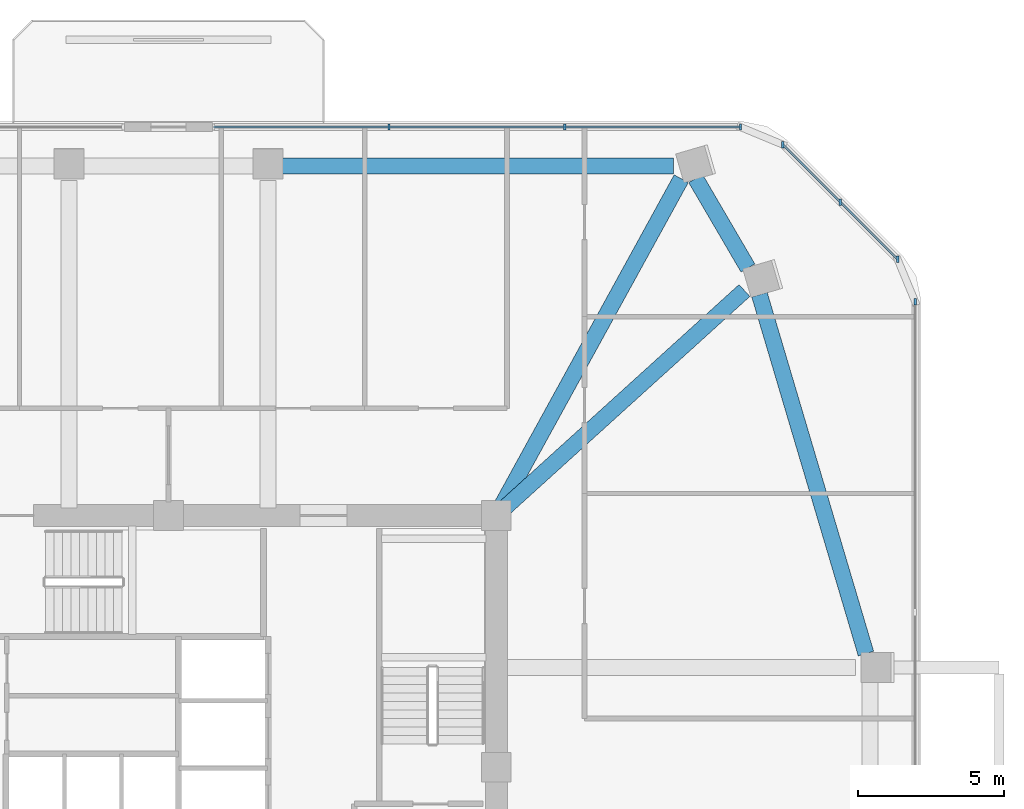
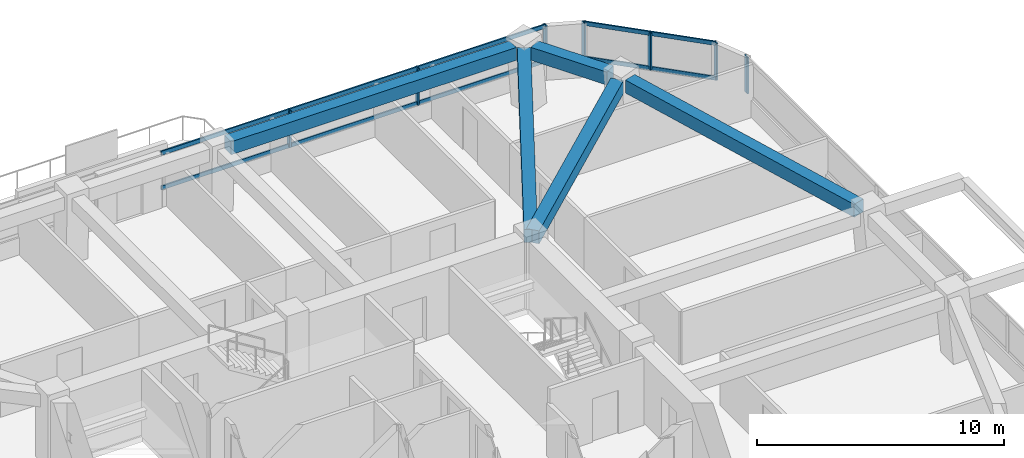
# One storey, part 6 of 13: 11 members, 5 beams, 3 elements without a shape of their own.
"""IFC4 building model written with IfcOpenShell, lengths in metres."""

from ifc_helpers import new_model, si_unit, derived_unit, direction, frame, origin, origin_2d, place, context, subcontext, project, spatial, rectangle, extrude, material, material_profile, profile_set, type_object, element, aggregate, save


model = new_model("IFC4")

# Units and contexts
model_context = context("Model", 3, precision=1e-05, world=origin(), true_north=direction((0.0, 1.0)))
body_context = subcontext(model_context, "Body", "Model", "MODEL_VIEW")
ifc_project = project(units=[si_unit("LENGTHUNIT", "METRE"), si_unit("AREAUNIT", "SQUARE_METRE"), si_unit("VOLUMEUNIT", "CUBIC_METRE"), si_unit("PLANEANGLEUNIT", "RADIAN"), si_unit("MASSUNIT", "GRAM", prefix="KILO"), derived_unit("THERMALTRANSMITTANCEUNIT", [(si_unit("POWERUNIT", "WATT"), 1), (si_unit("LENGTHUNIT", "METRE"), -2), (si_unit("THERMODYNAMICTEMPERATUREUNIT", "KELVIN"), -1)])], contexts=[model_context])

# Site, building, storey
site_placement = place(None, origin())
site = spatial("IfcSite", under=ifc_project, at=site_placement, CompositionType="ELEMENT")
building_placement = place(site_placement, origin())
building = spatial("IfcBuilding", under=site, at=building_placement, Name="Koralith Skygarden Medical Center", CompositionType="ELEMENT")
storey_placement = place(building_placement, frame((0.0, 0.0, 102.780029296875)))
storey = spatial("IfcBuildingStorey", under=building, at=storey_placement, Name="L26", CompositionType="ELEMENT", Elevation=102.780029296875)

# Curtain wall, member
ifc_material_1 = material(Name="Clear Laminated Glass", Category="glass")
curtain_wall_type = type_object("IfcCurtainWallType", Name="CW-3 Zone 2 Faceted Solar Curtain Wall", PredefinedType="NOTDEFINED", material=ifc_material_1)
curtain_wall_1_placement = place(storey_placement, origin())
curtain_wall_1 = element("IfcCurtainWall", 1, at=curtain_wall_1_placement, inside=storey, type_object=curtain_wall_type, Name="Curtain Wall CW-L26-E", PredefinedType="NOTDEFINED")
ifc_material_2 = material(Name="Aluminium 6063-T6", Category="aluminium")
ifc_material_profile_1 = material_profile(ifc_material_2, rectangle(XDim=0.073974609375, YDim=0.219970703125, at=origin_2d()), Name="MUL74X220")
ifc_profile_set_1 = profile_set([ifc_material_profile_1], Name="Aluminium 6063-T6")
member_type_1 = type_object("IfcMemberType", Name="CW-3 Extruded Mullion 74x220", PredefinedType="MULLION", material=ifc_profile_set_1)
member_1_placement = place(storey_placement, frame((62.510986328125, 41.791015625, 0.849853515625), z_axis=(0.0, 0.0, 1.0), x_axis=(1.0, 0.0, 0.0)))
member_1 = element("IfcMember", 2, at=member_1_placement, type_object=member_type_1, Name="CW-L26-E Mullion 4", PredefinedType="MULLION", context=body_context, shape_type="SweptSolid", body=[
    extrude(rectangle(XDim=0.073974609375, YDim=0.219970703125, at=origin_2d()), origin(), (0.0, 0.0, 1.0), 1.820068359375),
])
aggregate(curtain_wall_1, [member_1])

# Curtain wall, members
curtain_wall_2_placement = place(storey_placement, origin())
curtain_wall_2 = element("IfcCurtainWall", 3, at=curtain_wall_2_placement, inside=storey, type_object=curtain_wall_type, Name="Curtain Wall CW-L26-NE", PredefinedType="NOTDEFINED")
member_2_placement = place(storey_placement, frame((61.909912109375, 43.241943359375, 0.849853515625), z_axis=(0.0, 0.0, 1.0), x_axis=(1.0, 0.0, 0.0)))
member_2 = element("IfcMember", 4, at=member_2_placement, type_object=member_type_1, Name="CW-L26-NE Mullion 1", PredefinedType="MULLION", context=body_context, shape_type="SweptSolid", body=[
    extrude(rectangle(XDim=0.073974609375, YDim=0.219970703125, at=origin_2d()), origin(), (0.0, 0.0, 1.0), 1.820068359375),
])
member_3_placement = place(storey_placement, frame((59.948974609375, 45.202880859375, 0.849853515625), z_axis=(0.0, 0.0, 1.0), x_axis=(1.0, 0.0, 0.0)))
member_3 = element("IfcMember", 5, at=member_3_placement, type_object=member_type_1, Name="CW-L26-NE Mullion 2", PredefinedType="MULLION", context=body_context, shape_type="SweptSolid", body=[
    extrude(rectangle(XDim=0.073974609375, YDim=0.219970703125, at=origin_2d()), origin(), (0.0, 0.0, 1.0), 1.820068359375),
])
member_4_placement = place(storey_placement, frame((57.987060546875, 47.1650390625, 0.849853515625), z_axis=(0.0, 0.0, 1.0), x_axis=(1.0, 0.0, 0.0)))
member_4 = element("IfcMember", 6, at=member_4_placement, type_object=member_type_1, Name="CW-L26-NE Mullion 3", PredefinedType="MULLION", context=body_context, shape_type="SweptSolid", body=[
    extrude(rectangle(XDim=0.073974609375, YDim=0.219970703125, at=origin_2d()), origin(), (0.0, 0.0, 1.0), 1.820068359375),
])

curtain_wall_3_placement = place(storey_placement, origin())
curtain_wall_3 = element("IfcCurtainWall", 7, at=curtain_wall_3_placement, inside=storey, type_object=curtain_wall_type, Name="Curtain Wall CW-L26-N-L", PredefinedType="NOTDEFINED")
member_5_placement = place(storey_placement, frame((56.535888671875, 47.76611328125, 0.849853515625), z_axis=(0.0, 0.0, 1.0), x_axis=(1.0, 0.0, 0.0)))
member_5 = element("IfcMember", 8, at=member_5_placement, type_object=member_type_1, Name="CW-L26-N-L Mullion 1", PredefinedType="MULLION", context=body_context, shape_type="SweptSolid", body=[
    extrude(rectangle(XDim=0.073974609375, YDim=0.219970703125, at=origin_2d()), origin(), (0.0, 0.0, 1.0), 1.820068359375),
])
member_6_placement = place(storey_placement, frame((50.5380859375, 47.76611328125, 0.849853515625), z_axis=(0.0, 0.0, 1.0), x_axis=(1.0, 0.0, 0.0)))
member_6 = element("IfcMember", 9, at=member_6_placement, type_object=member_type_1, Name="CW-L26-N-L Mullion 2", PredefinedType="MULLION", context=body_context, shape_type="SweptSolid", body=[
    extrude(rectangle(XDim=0.073974609375, YDim=0.219970703125, at=origin_2d()), origin(), (0.0, 0.0, 1.0), 1.820068359375),
])
member_7_placement = place(storey_placement, frame((44.5390625, 47.76611328125, 0.849853515625), z_axis=(0.0, 0.0, 1.0), x_axis=(1.0, 0.0, 0.0)))
member_7 = element("IfcMember", 10, at=member_7_placement, type_object=member_type_1, Name="CW-L26-N-L Mullion 3", PredefinedType="MULLION", context=body_context, shape_type="SweptSolid", body=[
    extrude(rectangle(XDim=0.073974609375, YDim=0.219970703125, at=origin_2d()), origin(), (0.0, 0.0, 1.0), 1.820068359375),
])

# Member
ifc_material_profile_2 = material_profile(ifc_material_2, rectangle(XDim=0.069091796875, YDim=0.197998046875, at=origin_2d()), Name="TRN69X198")
ifc_profile_set_2 = profile_set([ifc_material_profile_2], Name="Aluminium 6063-T6")
member_type_2 = type_object("IfcMemberType", Name="CW-3 Thermal Transom 69x198", PredefinedType="USERDEFINED", material=ifc_profile_set_2)
member_8_placement = place(storey_placement, frame((61.909912109375, 43.241943359375, 0.89990234375), z_axis=(-0.707084777957, 0.707128783731, 0.0), x_axis=(-0.707128783731, -0.707084777957, 0.0)))
member_8 = element("IfcMember", 11, at=member_8_placement, type_object=member_type_2, Name="CW-L26-NE Transom 1", ObjectType="TRANSOM", PredefinedType="USERDEFINED", context=body_context, shape_type="SweptSolid", body=[
    extrude(rectangle(XDim=0.069091796875, YDim=0.197998046875, at=origin_2d()), origin(), (0.0, 0.0, 1.0), 5.5478515625),
])

member_9_placement = place(storey_placement, frame((61.909912109375, 43.241943359375, 2.619873046875), z_axis=(-0.707084777957, 0.707128783731, 0.0), x_axis=(-0.707128783731, -0.707084777957, 0.0)))
member_9 = element("IfcMember", 12, at=member_9_placement, type_object=member_type_2, Name="CW-L26-NE Transom 2", ObjectType="TRANSOM", PredefinedType="USERDEFINED", context=body_context, shape_type="SweptSolid", body=[
    extrude(rectangle(XDim=0.069091796875, YDim=0.197998046875, at=origin_2d()), origin(), (0.0, 0.0, 1.0), 5.5478515625),
])

aggregate(curtain_wall_2, [member_2, member_3, member_4, member_8, member_9])

member_10_placement = place(storey_placement, frame((56.535888671875, 47.76611328125, 0.89990234375), z_axis=(-1.0, 0.0, 0.0), x_axis=(0.0, -1.0, 0.0)))
member_10 = element("IfcMember", 13, at=member_10_placement, type_object=member_type_2, Name="CW-L26-N-L Transom 1", ObjectType="TRANSOM", PredefinedType="USERDEFINED", context=body_context, shape_type="SweptSolid", body=[
    extrude(rectangle(XDim=0.069091796875, YDim=0.197998046875, at=origin_2d()), origin(), (0.0, 0.0, 1.0), 17.994873046875),
])

member_11_placement = place(storey_placement, frame((56.535888671875, 47.76611328125, 2.619873046875), z_axis=(-1.0, 0.0, 0.0), x_axis=(0.0, -1.0, 0.0)))
member_11 = element("IfcMember", 14, at=member_11_placement, type_object=member_type_2, Name="CW-L26-N-L Transom 2", ObjectType="TRANSOM", PredefinedType="USERDEFINED", context=body_context, shape_type="SweptSolid", body=[
    extrude(rectangle(XDim=0.069091796875, YDim=0.197998046875, at=origin_2d()), origin(), (0.0, 0.0, 1.0), 17.994873046875),
])

aggregate(curtain_wall_3, [member_5, member_6, member_7, member_10, member_11])

# Beams
ifc_material_3 = material(Name="Concrete C45/55", Category="concrete")
ifc_material_profile_3 = material_profile(ifc_material_3, rectangle(XDim=0.550048828125, YDim=0.639892578125, at=origin_2d()), Name="RCB550X640")
ifc_profile_set_3 = profile_set([ifc_material_profile_3], Name="Concrete C45/55")
beam_type_1 = type_object("IfcBeamType", Name="Radial Collector Beam RCB550X640", PredefinedType="BEAM", material=ifc_profile_set_3)
beam_1_placement = place(storey_placement, frame((48.385009765625, 34.66796875, 3.0), z_axis=(0.741061587835, 0.671437058134, 0.0), x_axis=(-0.671437058134, 0.741061587835, 0.0)))
element("IfcBeam", 15, at=beam_1_placement, inside=storey, type_object=beam_type_1, Name="L26 Radial Collector Beam RB-10", PredefinedType="BEAM", context=body_context, shape_type="SweptSolid", body=[
    extrude(rectangle(XDim=0.550048828125, YDim=0.639892578125, at=origin_2d()), origin(), (0.0, 0.0, 1.0), 11.189453125),
])
beam_2_placement = place(storey_placement, frame((48.320068359375, 34.718994140625, 3.0), z_axis=(0.481411133135, 0.876494906371, 0.0), x_axis=(-0.876494906371, 0.481411133135, 0.0)))
element("IfcBeam", 16, at=beam_2_placement, inside=storey, type_object=beam_type_1, Name="L26 Radial Collector Beam RB-11", PredefinedType="BEAM", context=body_context, shape_type="SweptSolid", body=[
    extrude(rectangle(XDim=0.550048828125, YDim=0.639892578125, at=origin_2d()), origin(), (0.0, 0.0, 1.0), 12.87060546875),
])
ifc_material_profile_4 = material_profile(ifc_material_3, rectangle(XDim=0.550048828125, YDim=0.639892578125, at=origin_2d()), Name="RCB550X640")
ifc_profile_set_4 = profile_set([ifc_material_profile_4], Name="Concrete C45/55")
beam_type_2 = type_object("IfcBeamType", Name="Zone 2-3 Spandrel Beam RCB550X640", PredefinedType="SPANDREL", material=ifc_profile_set_4)
beam_3_placement = place(storey_placement, frame((60.825927734375, 29.779052734375, 3.0), z_axis=(-0.284352900975, 0.958719681506, 0.0), x_axis=(-0.958719681506, -0.284352900975, 0.0)))
element("IfcBeam", 17, at=beam_3_placement, inside=storey, type_object=beam_type_2, Name="L26 Perimeter Spandrel Beam SP-09", PredefinedType="SPANDREL", context=body_context, shape_type="SweptSolid", body=[
    extrude(rectangle(XDim=0.550048828125, YDim=0.639892578125, at=origin_2d()), origin(), (0.0, 0.0, 1.0), 12.786865234375),
])
beam_4_placement = place(storey_placement, frame((56.7958984375, 42.948974609375, 3.0), z_axis=(-0.504616741927, 0.863343468016, 0.0), x_axis=(-0.863343468016, -0.504616741927, 0.0)))
element("IfcBeam", 18, at=beam_4_placement, inside=storey, type_object=beam_type_2, Name="L26 Perimeter Spandrel Beam SP-10", PredefinedType="SPANDREL", context=body_context, shape_type="SweptSolid", body=[
    extrude(rectangle(XDim=0.550048828125, YDim=0.639892578125, at=origin_2d()), origin(), (0.0, 0.0, 1.0), 3.541015625),
])
beam_5_placement = place(storey_placement, frame((54.257080078125, 46.43798828125, 3.0), z_axis=(-1.0, 0.0, 0.0), x_axis=(0.0, -1.0, 0.0)))
element("IfcBeam", 19, at=beam_5_placement, inside=storey, type_object=beam_type_2, Name="L26 Perimeter Spandrel Beam SP-11", PredefinedType="SPANDREL", context=body_context, shape_type="SweptSolid", body=[
    extrude(rectangle(XDim=0.550048828125, YDim=0.639892578125, at=origin_2d()), origin(), (0.0, 0.0, 1.0), 13.357177734375),
])

save(model, "model.ifc")
